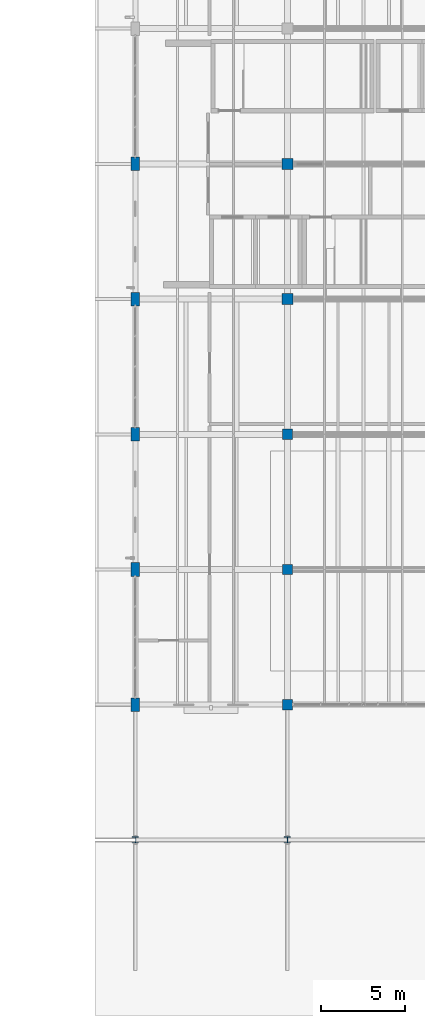
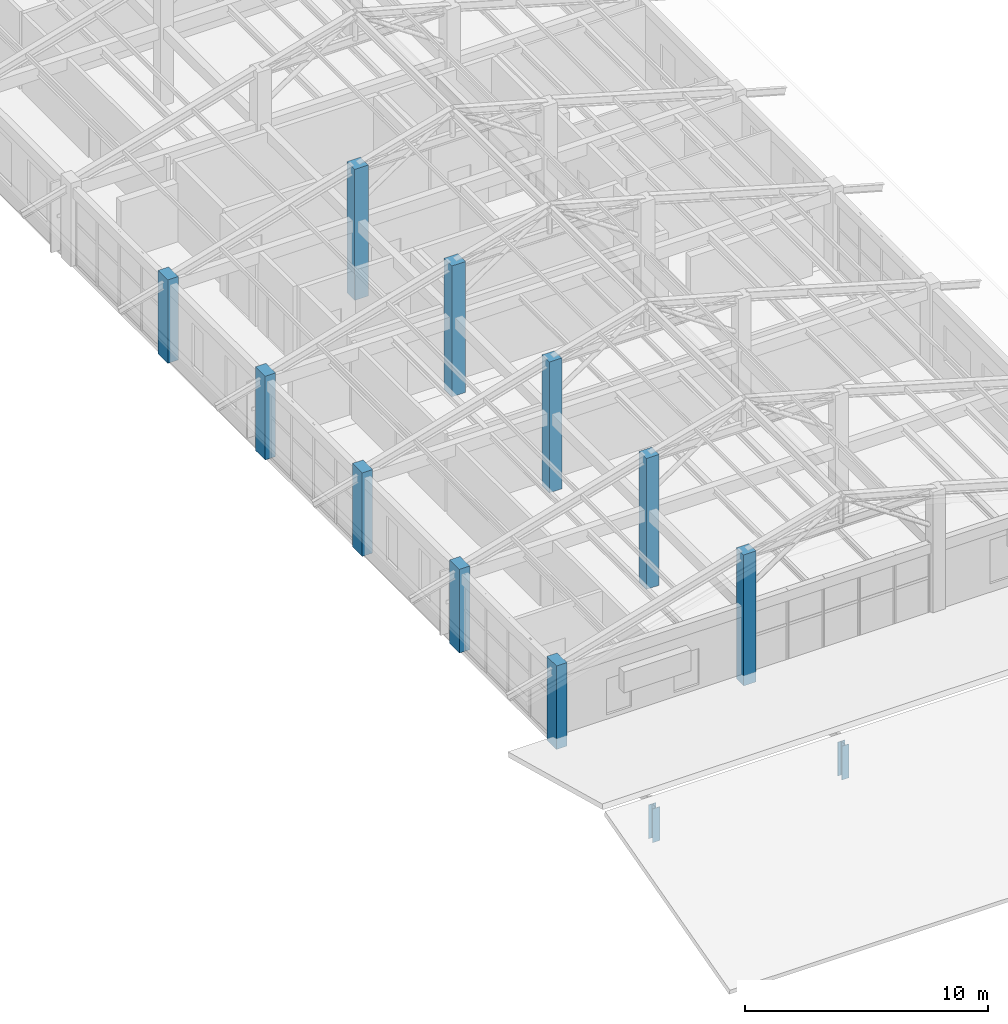
# One storey, part 2 of 58: 12 columns.
"""IFC4 building model written with IfcOpenShell, lengths in metres."""

from ifc_helpers import new_model, si_unit, derived_unit, direction, frame, origin, origin_2d, place, context, subcontext, project, spatial, rectangle, i_section, extrude, material, material_profile, profile_set, type_object, element, save


model = new_model("IFC4")

# Units and contexts
model_context = context("Model", 3, precision=1e-05, world=origin(), true_north=direction((0.0, 1.0)))
body_context = subcontext(model_context, "Body", "Model", "MODEL_VIEW")
ifc_project = project(units=[si_unit("LENGTHUNIT", "METRE"), si_unit("AREAUNIT", "SQUARE_METRE"), si_unit("VOLUMEUNIT", "CUBIC_METRE"), si_unit("PLANEANGLEUNIT", "RADIAN"), si_unit("MASSUNIT", "GRAM", prefix="KILO"), derived_unit("THERMALTRANSMITTANCEUNIT", [(si_unit("MASSUNIT", "GRAM", prefix="KILO"), 1), (si_unit("TIMEUNIT", "SECOND"), -3), (si_unit("THERMODYNAMICTEMPERATUREUNIT", "KELVIN"), -1)])], contexts=[model_context])

# Site, building, storey
site_placement = place(None, origin())
site = spatial("IfcSite", under=ifc_project, at=site_placement, CompositionType="ELEMENT")
building_placement = place(site_placement, origin())
building = spatial("IfcBuilding", under=site, at=building_placement, Name="Zhenchuan Archway Interchange", CompositionType="ELEMENT")
storey_placement = place(building_placement, frame((0.0, 0.0, 22.800048828125)))
storey = spatial("IfcBuildingStorey", under=building, at=storey_placement, Name="L05", CompositionType="ELEMENT", Elevation=22.800048828125)

# Columns
ifc_material_1 = material(Name="Concrete C40", Category="concrete")
ifc_material_profile_1 = material_profile(ifc_material_1, rectangle(XDim=0.5, YDim=0.800048828125, at=origin_2d()), Name="RC 500x800")
ifc_profile_set_1 = profile_set([ifc_material_profile_1], Name="Concrete C40")
column_type_1 = type_object("IfcColumnType", Name="COL_RC_500x800_T", PredefinedType="COLUMN", material=ifc_profile_set_1)
for number, where, z_axis, x_axis, name in (
    (1, (144.0, 24.0, 0.0), (0.0, 0.0, 1.0), (1.0, 0.0, 0.0), "Column 17/D (L05)"),
    (2, (144.0, 32.0, 0.0), (0.0, 0.0, 1.0), (1.0, 0.0, 0.0), "Column 17/E (L05)"),
    (3, (144.0, 40.0, 0.0), (0.0, 0.0, 1.0), (1.0, 0.0, 0.0), "Column 17/F (L05)"),
    (4, (144.0, 48.0, 0.0), (0.0, 0.0, 1.0), (1.0, 0.0, 0.0), "Column 17/G (L05)"),
    (5, (144.0, 56.0, 0.0), (0.0, 0.0, 1.0), (1.0, 0.0, 0.0), "Column 17/H (L05)"),
):
    element("IfcColumn", number, at=place(storey_placement, frame(where, z_axis=z_axis, x_axis=x_axis)), inside=storey, type_object=column_type_1, Name=name, PredefinedType="COLUMN", context=body_context, shape_type="SweptSolid", body=[
        extrude(rectangle(XDim=0.5, YDim=0.800048828125, at=origin_2d()), origin(), (0.0, 0.0, 1.0), 4.199951171875),
    ])
ifc_material_profile_2 = material_profile(ifc_material_1, rectangle(XDim=0.60009765625, YDim=0.60009765625, at=origin_2d()), Name="RC 600x600")
ifc_profile_set_2 = profile_set([ifc_material_profile_2], Name="Concrete C40")
column_type_2 = type_object("IfcColumnType", Name="COL_RC_600_T", PredefinedType="COLUMN", material=ifc_profile_set_2)
for number, where, z_axis, x_axis, name in (
    (6, (153.0, 24.0, 0.0), (0.0, 0.0, 1.0), (1.0, 0.0, 0.0), "Column 18/D (L05)"),
    (7, (153.0, 32.0, 0.0), (0.0, 0.0, 1.0), (1.0, 0.0, 0.0), "Column 18/E (L05)"),
    (8, (153.0, 40.0, 0.0), (0.0, 0.0, 1.0), (1.0, 0.0, 0.0), "Column 18/F (L05)"),
):
    element("IfcColumn", number, at=place(storey_placement, frame(where, z_axis=z_axis, x_axis=x_axis)), inside=storey, type_object=column_type_2, Name=name, PredefinedType="COLUMN", context=body_context, shape_type="SweptSolid", body=[
        extrude(rectangle(XDim=0.60009765625, YDim=0.60009765625, at=origin_2d()), origin(), (0.0, 0.0, 1.0), 6.579833984375),
    ])
ifc_material_profile_3 = material_profile(ifc_material_1, rectangle(XDim=0.64990234375, YDim=0.64990234375, at=origin_2d()), Name="RC 650x650")
ifc_profile_set_3 = profile_set([ifc_material_profile_3], Name="Concrete C40")
column_type_3 = type_object("IfcColumnType", Name="COL_RC_650_T", PredefinedType="COLUMN", material=ifc_profile_set_3)
for number, where, z_axis, x_axis, name in (
    (9, (153.0, 48.0, 0.0), (0.0, 0.0, 1.0), (1.0, 0.0, 0.0), "Column 18/G (L05)"),
    (10, (153.0, 56.0, 0.0), (0.0, 0.0, 1.0), (1.0, 0.0, 0.0), "Column 18/H (L05)"),
):
    element("IfcColumn", number, at=place(storey_placement, frame(where, z_axis=z_axis, x_axis=x_axis)), inside=storey, type_object=column_type_3, Name=name, PredefinedType="COLUMN", context=body_context, shape_type="SweptSolid", body=[
        extrude(rectangle(XDim=0.64990234375, YDim=0.64990234375, at=origin_2d()), origin(), (0.0, 0.0, 1.0), 6.579833984375),
    ])
ifc_material_2 = material(Name="Steel Q355", Category="steel")
ifc_material_profile_4 = material_profile(ifc_material_2, i_section(OverallWidth=0.35009765625, OverallDepth=0.35009765625, WebThickness=0.011962890625, FlangeThickness=0.01904296875, FilletRadius=0.02001953125, at=origin_2d()), Name="HW 350x350")
ifc_profile_set_4 = profile_set([ifc_material_profile_4], Name="Steel Q355")
column_type_4 = type_object("IfcColumnType", Name="COL_STL_HW350", PredefinedType="COLUMN", material=ifc_profile_set_4)
for number, where, z_axis, x_axis, name in (
    (11, (144.0, 16.0, 0.0), (0.0, 0.0, 1.0), (1.0, 0.0, 0.0), "East bar end gable ridge column 17/C (L05)"),
    (12, (153.0, 16.0, 0.0), (0.0, 0.0, 1.0), (1.0, 0.0, 0.0), "East bar end gable ridge column 18/C (L05)"),
):
    element("IfcColumn", number, at=place(storey_placement, frame(where, z_axis=z_axis, x_axis=x_axis)), inside=storey, type_object=column_type_4, Name=name, PredefinedType="COLUMN", context=body_context, shape_type="SweptSolid", body=[
        extrude(i_section(OverallWidth=0.35009765625, OverallDepth=0.35009765625, WebThickness=0.011962890625, FlangeThickness=0.01904296875, FilletRadius=0.02001953125, at=origin_2d()), origin(), (0.0, 0.0, 1.0), 1.699951171875),
    ])

save(model, "model.ifc")
